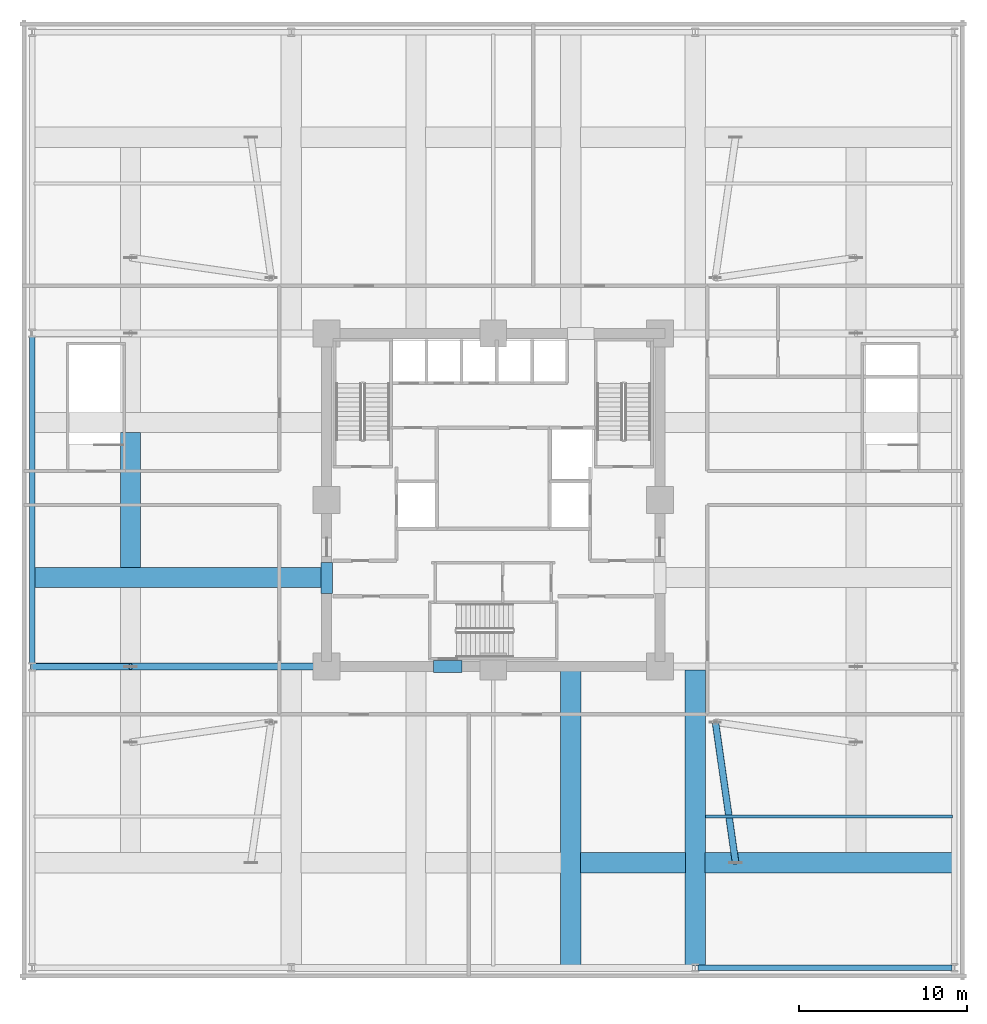
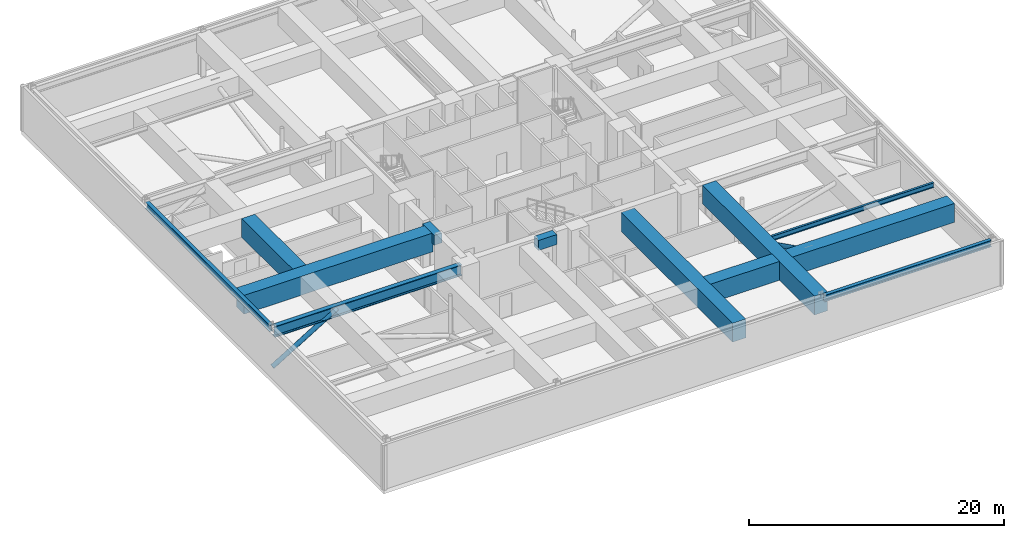
# One storey, part 3 of 16: 12 beams, 2 members.
"""IFC4 building model written with IfcOpenShell, lengths in metres."""

from ifc_helpers import new_model, si_unit, direction, frame, origin, origin_2d, place, context, subcontext, project, spatial, rectangle, hollow_circle, i_section, extrude, material, material_profile, profile_set, type_object, element, save


model = new_model("IFC4")

# Units and contexts
model_context = context("Model", 3, precision=1e-05, world=origin(), true_north=direction((0.0, 1.0)))
body_context = subcontext(model_context, "Body", "Model", "MODEL_VIEW")
ifc_project = project(units=[si_unit("LENGTHUNIT", "METRE"), si_unit("AREAUNIT", "SQUARE_METRE"), si_unit("VOLUMEUNIT", "CUBIC_METRE"), si_unit("PLANEANGLEUNIT", "RADIAN"), si_unit("MASSUNIT", "GRAM", prefix="KILO")], contexts=[model_context])

# Site, building, storey
site_placement = place(None, origin())
site = spatial("IfcSite", under=ifc_project, at=site_placement, CompositionType="ELEMENT")
building_placement = place(site_placement, origin())
building = spatial("IfcBuilding", under=site, at=building_placement, Name="Kolvaren Belvedere", CompositionType="ELEMENT")
storey_placement = place(building_placement, frame((0.0, 0.0, 19.300048828125)))
storey = spatial("IfcBuildingStorey", under=building, at=storey_placement, Name="L05", CompositionType="ELEMENT", Elevation=19.300048828125)

# Beams
ifc_material_1 = material(Name="Structural steel ASTM A992 Grade 50", Category="steel")
ifc_material_profile_1 = material_profile(ifc_material_1, i_section(OverallWidth=0.19091796875, OverallDepth=0.4599609375, WebThickness=0.010009765625, FlangeThickness=0.01611328125, FilletRadius=0.014892578125, at=origin_2d()), Name="W18X55")
ifc_profile_set_1 = profile_set([ifc_material_profile_1], Name="Structural steel ASTM A992 Grade 50")
beam_type_1 = type_object("IfcBeamType", Name="BM-JOIST-W18X55", PredefinedType="BEAM", material=ifc_profile_set_1)
beam_1_placement = place(storey_placement, frame((12.6201171875, -18.800048828125, 4.030029296875), z_axis=(1.0, 0.0, 0.0), x_axis=(0.0, 1.0, 0.0)))
element("IfcBeam", 1, at=beam_1_placement, inside=storey, type_object=beam_type_1, Name="L05 East Bay Floor Beam", PredefinedType="BEAM", context=body_context, shape_type="SweptSolid", body=[
    extrude(i_section(OverallWidth=0.19091796875, OverallDepth=0.4599609375, WebThickness=0.010009765625, FlangeThickness=0.01611328125, FilletRadius=0.014892578125, at=origin_2d()), origin(), (0.0, 0.0, 1.0), 14.659912109375),
])
ifc_material_2 = material(Name="Concrete C60/75", Category="concrete")
ifc_material_profile_2 = material_profile(ifc_material_2, rectangle(XDim=0.699951171875, YDim=0.949951171875, at=origin_2d()), Name="RC 700X950")
ifc_profile_set_2 = profile_set([ifc_material_profile_2], Name="Concrete C60/75")
beam_type_2 = type_object("IfcBeamType", Name="BM-LINT-950", PredefinedType="LINTEL", material=ifc_profile_set_2)
beam_2_placement = place(storey_placement, frame((-3.5400390625, -9.89990234375, 3.784912109375), z_axis=(1.0, 0.0, 0.0), x_axis=(0.0, 1.0, 0.0)))
element("IfcBeam", 2, at=beam_2_placement, inside=storey, type_object=beam_type_2, Name="L05 South Core Coupling Lintel", PredefinedType="LINTEL", context=body_context, shape_type="SweptSolid", body=[
    extrude(rectangle(XDim=0.699951171875, YDim=0.949951171875, at=origin_2d()), origin(), (0.0, 0.0, 1.0), 1.679931640625),
])
beam_3_placement = place(storey_placement, frame((-9.89990234375, -5.550048828125, 3.784912109375), z_axis=(0.0, 1.0, 0.0), x_axis=(-1.0, 0.0, 0.0)))
element("IfcBeam", 3, at=beam_3_placement, inside=storey, type_object=beam_type_2, Name="L05 West Core Coupling Lintel", PredefinedType="LINTEL", context=body_context, shape_type="SweptSolid", body=[
    extrude(rectangle(XDim=0.699951171875, YDim=0.949951171875, at=origin_2d()), origin(), (0.0, 0.0, 1.0), 1.85009765625),
])
ifc_material_3 = material(Name="Structural steel ASTM A992 Grade 50", Category="steel")
ifc_material_profile_3 = material_profile(ifc_material_3, i_section(OverallWidth=0.324951171875, OverallDepth=0.615966796875, WebThickness=0.013916015625, FlangeThickness=0.021484375, FilletRadius=0.02001953125, at=origin_2d()), Name="W24X117")
ifc_profile_set_3 = profile_set([ifc_material_profile_3], Name="Structural steel ASTM A992 Grade 50")
beam_type_3 = type_object("IfcBeamType", Name="BM-SPAN-W24X117", PredefinedType="SPANDREL", material=ifc_profile_set_3)
beam_4_placement = place(storey_placement, frame((12.14990234375, -27.800048828125, 3.951904296875), z_axis=(1.0, 0.0, 0.0), x_axis=(0.0, 1.0, 0.0)))
element("IfcBeam", 4, at=beam_4_placement, inside=storey, type_object=beam_type_3, Name="L05 South Podium Spandrel 3", PredefinedType="SPANDREL", context=body_context, shape_type="SweptSolid", body=[
    extrude(i_section(OverallWidth=0.324951171875, OverallDepth=0.615966796875, WebThickness=0.013916015625, FlangeThickness=0.021484375, FilletRadius=0.02001953125, at=origin_2d()), origin(), (0.0, 0.0, 1.0), 15.10009765625),
])
beam_5_placement = place(storey_placement, frame((-27.39990234375, -9.75, 3.951904296875), z_axis=(0.0, 1.0, 0.0), x_axis=(-1.0, 0.0, 0.0)))
element("IfcBeam", 5, at=beam_5_placement, inside=storey, type_object=beam_type_3, Name="L05 W Podium Spandrel 2", PredefinedType="SPANDREL", context=body_context, shape_type="SweptSolid", body=[
    extrude(i_section(OverallWidth=0.324951171875, OverallDepth=0.615966796875, WebThickness=0.013916015625, FlangeThickness=0.021484375, FilletRadius=0.02001953125, at=origin_2d()), origin(), (0.0, 0.0, 1.0), 19.5),
])
ifc_material_4 = material(Name="Concrete C50/60", Category="concrete")
ifc_material_profile_4 = material_profile(ifc_material_4, rectangle(XDim=1.199951171875, YDim=1.800048828125, at=origin_2d()), Name="RC 1200X1800")
ifc_profile_set_4 = profile_set([ifc_material_profile_4], Name="Concrete C50/60")
beam_type_4 = type_object("IfcBeamType", Name="BM-TG-1800", PredefinedType="BEAM", material=ifc_profile_set_4)
beam_6_placement = place(storey_placement, frame((4.60009765625, -10.14990234375, 3.35986328125), z_axis=(0.0, -1.0, 0.0), x_axis=(1.0, 0.0, 0.0)))
element("IfcBeam", 6, at=beam_6_placement, inside=storey, type_object=beam_type_4, Name="L05 South Primary Transfer Girder P46", PredefinedType="BEAM", context=body_context, shape_type="SweptSolid", body=[
    extrude(rectangle(XDim=1.199951171875, YDim=1.800048828125, at=origin_2d()), origin(), (0.0, 0.0, 1.0), 17.5),
])
beam_7_placement = place(storey_placement, frame((-10.14990234375, -4.60009765625, 3.35986328125), z_axis=(-1.0, 0.0, 0.0), x_axis=(0.0, -1.0, 0.0)))
element("IfcBeam", 7, at=beam_7_placement, inside=storey, type_object=beam_type_4, Name="L05 West Primary Transfer Girder M46", PredefinedType="BEAM", context=body_context, shape_type="SweptSolid", body=[
    extrude(rectangle(XDim=1.199951171875, YDim=1.800048828125, at=origin_2d()), origin(), (0.0, 0.0, 1.0), 17.10009765625),
])
beam_8_placement = place(storey_placement, frame((12.0, -10.10009765625, 3.35986328125), z_axis=(0.0, -1.0, 0.0), x_axis=(1.0, 0.0, 0.0)))
element("IfcBeam", 8, at=beam_8_placement, inside=storey, type_object=beam_type_4, Name="L05 South Secondary Transfer Girder P12", PredefinedType="BEAM", context=body_context, shape_type="SweptSolid", body=[
    extrude(rectangle(XDim=1.199951171875, YDim=1.800048828125, at=origin_2d()), origin(), (0.0, 0.0, 1.0), 17.5498046875),
])
beam_9_placement = place(storey_placement, frame((5.179931640625, -21.550048828125, 3.35986328125), z_axis=(1.0, 0.0, 0.0), x_axis=(0.0, 1.0, 0.0)))
element("IfcBeam", 9, at=beam_9_placement, inside=storey, type_object=beam_type_4, Name="L05 South Transfer Ring Girder E2", PredefinedType="BEAM", context=body_context, shape_type="SweptSolid", body=[
    extrude(rectangle(XDim=1.199951171875, YDim=1.800048828125, at=origin_2d()), origin(), (0.0, 0.0, 1.0), 6.239990234375),
])
beam_10_placement = place(storey_placement, frame((12.580078125, -21.550048828125, 3.35986328125), z_axis=(1.0, 0.0, 0.0), x_axis=(0.0, 1.0, 0.0)))
element("IfcBeam", 10, at=beam_10_placement, inside=storey, type_object=beam_type_4, Name="L05 South Transfer Ring Girder E1", PredefinedType="BEAM", context=body_context, shape_type="SweptSolid", body=[
    extrude(rectangle(XDim=1.199951171875, YDim=1.800048828125, at=origin_2d()), origin(), (0.0, 0.0, 1.0), 14.669921875),
])
beam_11_placement = place(storey_placement, frame((-21.550048828125, -4.0, 3.35986328125), z_axis=(0.0, 1.0, 0.0), x_axis=(-1.0, 0.0, 0.0)))
element("IfcBeam", 11, at=beam_11_placement, inside=storey, type_object=beam_type_4, Name="L05 West Transfer Ring Girder C", PredefinedType="BEAM", context=body_context, shape_type="SweptSolid", body=[
    extrude(rectangle(XDim=1.199951171875, YDim=1.800048828125, at=origin_2d()), origin(), (0.0, 0.0, 1.0), 8.0),
])
ifc_material_5 = material(Name="Structural steel ASTM A992 Grade 50", Category="steel")
ifc_material_profile_5 = material_profile(ifc_material_5, i_section(OverallWidth=0.408935546875, OverallDepth=1.0400390625, WebThickness=0.031005859375, FlangeThickness=0.055908203125, FilletRadius=0.030029296875, at=origin_2d()), Name="W40X397")
ifc_profile_set_5 = profile_set([ifc_material_profile_5], Name="Structural steel ASTM A992 Grade 50")
beam_type_5 = type_object("IfcBeamType", Name="BM-TRUSS-W40X397", PredefinedType="BEAM", material=ifc_profile_set_5)
beam_12_placement = place(storey_placement, frame((-27.25, -9.89990234375, 3.739990234375), z_axis=(1.0, 0.0, 0.0), x_axis=(0.0, 1.0, 0.0)))
element("IfcBeam", 12, at=beam_12_placement, inside=storey, type_object=beam_type_5, Name="L05 West Interior Girder S", PredefinedType="BEAM", context=body_context, shape_type="SweptSolid", body=[
    extrude(i_section(OverallWidth=0.408935546875, OverallDepth=1.0400390625, WebThickness=0.031005859375, FlangeThickness=0.055908203125, FilletRadius=0.030029296875, at=origin_2d()), origin(), (0.0, 0.0, 1.0), 16.89990234375),
])

# Members
ifc_material_6 = material(Name="Structural steel ASTM A500 Grade C", Category="steel")
ifc_material_profile_6 = material_profile(ifc_material_6, hollow_circle(Radius=0.202880859375, WallThickness=0.01171875, at=origin_2d()), Name="HSS16.000X0.500")
ifc_profile_set_6 = profile_set([ifc_material_profile_6], Name="Structural steel ASTM A500 Grade C")
member_type = type_object("IfcMemberType", Name="MB-TRUSS-DIAG", PredefinedType="BRACE", material=ifc_profile_set_6)
member_1_placement = place(storey_placement, frame((13.199951171875, -13.199951171875, 0.349853515625), z_axis=(0.131051814829, -0.911949983885, 0.388809270365), x_axis=(0.989831652518, 0.142243803641, 0.0)))
element("IfcMember", 13, at=member_1_placement, inside=storey, type_object=member_type, Name="L05 Storey-Deep Transfer Truss Diagonal TD-6", PredefinedType="BRACE", context=body_context, shape_type="SweptSolid", body=[
    extrude(hollow_circle(Radius=0.202880859375, WallThickness=0.01171875, at=origin_2d()), origin(), (0.0, 0.0, 1.0), 9.15625),
])
member_2_placement = place(storey_placement, frame((-27.39990234375, -9.89990234375, 0.349853515625), z_axis=(0.854245366247, 0.0, 0.519870035918), x_axis=(0.0, 1.0, 0.0)))
element("IfcMember", 14, at=member_2_placement, inside=storey, type_object=member_type, Name="L05 Storey-Deep Transfer Truss Diagonal TD-9", PredefinedType="BRACE", context=body_context, shape_type="SweptSolid", body=[
    extrude(hollow_circle(Radius=0.202880859375, WallThickness=0.01171875, at=origin_2d()), origin(), (0.0, 0.0, 1.0), 6.847900390625),
])

save(model, "model.ifc")
